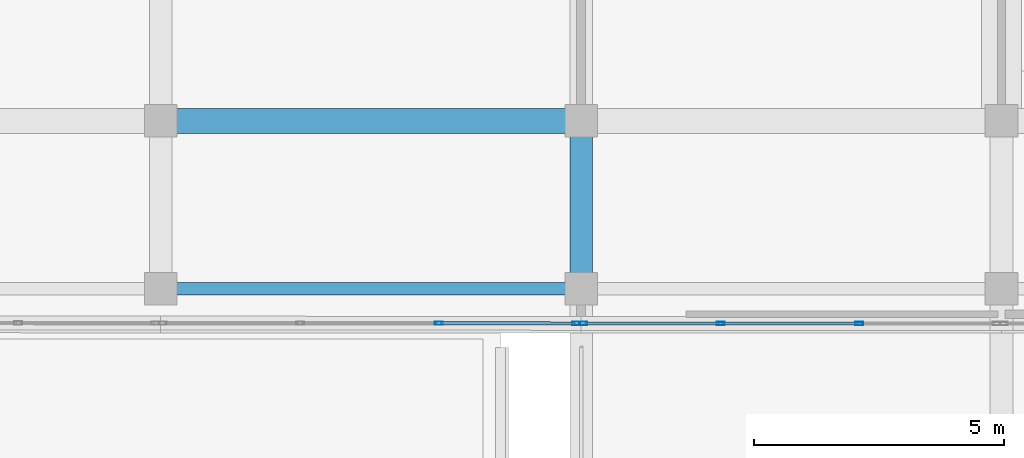
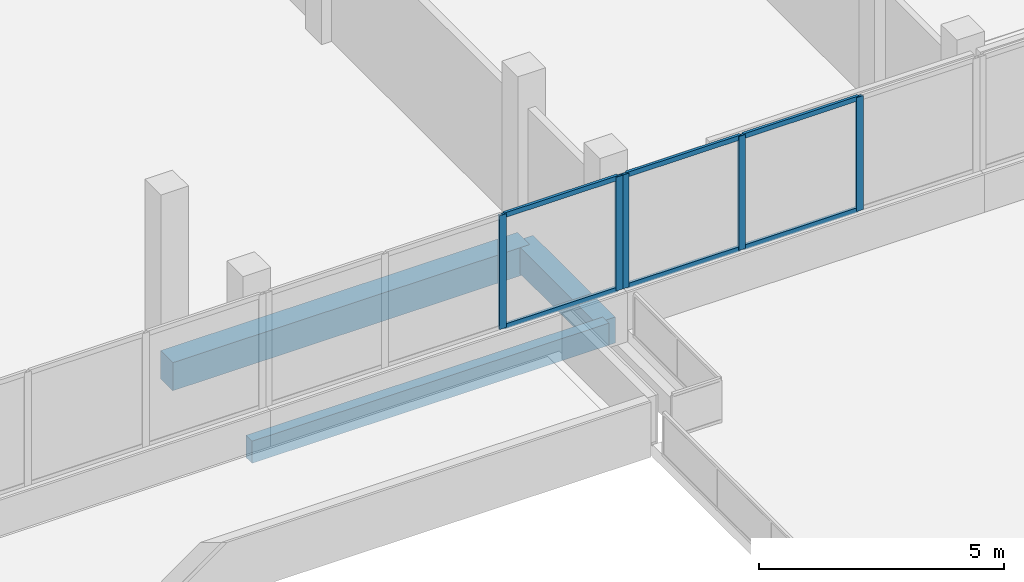
# One storey, part 17 of 78: 11 members, 3 beams, 2 elements without a shape of their own.
"""IFC4 building model written with IfcOpenShell, lengths in metres."""

from ifc_helpers import new_model, si_unit, direction, frame, origin, origin_2d, place, context, subcontext, project, spatial, rectangle, hollow_rectangle, extrude, material, material_profile, profile_set, type_object, element, aggregate, save


model = new_model("IFC4")

# Units and contexts
model_context = context("Model", 3, precision=1e-05, world=origin(), true_north=direction((0.0, 1.0)))
body_context = subcontext(model_context, "Body", "Model", "MODEL_VIEW")
ifc_project = project(units=[si_unit("LENGTHUNIT", "METRE"), si_unit("AREAUNIT", "SQUARE_METRE"), si_unit("VOLUMEUNIT", "CUBIC_METRE"), si_unit("PLANEANGLEUNIT", "RADIAN"), si_unit("MASSUNIT", "GRAM", prefix="KILO")], contexts=[model_context])

# Site, building, storey
site_placement = place(None, origin())
site = spatial("IfcSite", under=ifc_project, at=site_placement, CompositionType="ELEMENT")
building_placement = place(site_placement, origin())
building = spatial("IfcBuilding", under=site, at=building_placement, Name="Selatvlak General Hospital", CompositionType="ELEMENT")
storey_placement = place(building_placement, frame((0.0, 0.0, 23.25)))
storey = spatial("IfcBuildingStorey", under=building, at=storey_placement, Name="L05", CompositionType="ELEMENT", Elevation=23.25)

# Beams
ifc_material_1 = material(Name="Concrete C40/50", Category="concrete")
ifc_material_profile_1 = material_profile(ifc_material_1, rectangle(XDim=0.5, YDim=0.699951171875, at=origin_2d()), Name="RC-BM 500x700")
ifc_profile_set_1 = profile_set([ifc_material_profile_1], Name="Concrete C40/50")
beam_type_1 = type_object("IfcBeamType", Name="BM-G03", PredefinedType="BEAM", material=ifc_profile_set_1)
beam_1_placement = place(storey_placement, frame((106.800048828125, 92.0, -0.6298828125), z_axis=(1.0, 0.0, 0.0), x_axis=(0.0, 1.0, 0.0)))
element("IfcBeam", 1, at=beam_1_placement, inside=storey, type_object=beam_type_1, Name="Beam BMR-L05-1912", PredefinedType="BEAM", context=body_context, shape_type="SweptSolid", body=[
    extrude(rectangle(XDim=0.5, YDim=0.699951171875, at=origin_2d()), origin(), (0.0, 0.0, 1.0), 8.39990234375),
])
ifc_material_profile_2 = material_profile(ifc_material_1, rectangle(XDim=0.449951171875, YDim=0.64990234375, at=origin_2d()), Name="RC-BM 450x650")
ifc_profile_set_2 = profile_set([ifc_material_profile_2], Name="Concrete C40/50")
beam_type_2 = type_object("IfcBeamType", Name="BM-G04", PredefinedType="BEAM", material=ifc_profile_set_2)
beam_2_placement = place(storey_placement, frame((115.199951171875, 88.64990234375, -0.60498046875), z_axis=(0.0, 1.0, 0.0), x_axis=(-1.0, 0.0, 0.0)))
element("IfcBeam", 2, at=beam_2_placement, inside=storey, type_object=beam_type_2, Name="Beam BMR-L05-2043", PredefinedType="BEAM", context=body_context, shape_type="SweptSolid", body=[
    extrude(rectangle(XDim=0.449951171875, YDim=0.64990234375, at=origin_2d()), origin(), (0.0, 0.0, 1.0), 3.35009765625),
])
ifc_material_profile_3 = material_profile(ifc_material_1, rectangle(XDim=0.25, YDim=0.550048828125, at=origin_2d()), Name="RC-SP 250x550")
ifc_profile_set_3 = profile_set([ifc_material_profile_3], Name="Concrete C40/50")
beam_type_3 = type_object("IfcBeamType", Name="BM-SP2", PredefinedType="SPANDREL", material=ifc_profile_set_3)
beam_3_placement = place(storey_placement, frame((106.800048828125, 88.64990234375, -0.554931640625), z_axis=(1.0, 0.0, 0.0), x_axis=(0.0, 1.0, 0.0)))
element("IfcBeam", 3, at=beam_3_placement, inside=storey, type_object=beam_type_3, Name="Beam BMR-L05-1892", PredefinedType="SPANDREL", context=body_context, shape_type="SweptSolid", body=[
    extrude(rectangle(XDim=0.25, YDim=0.550048828125, at=origin_2d()), origin(), (0.0, 0.0, 1.0), 8.39990234375),
])

# Curtain wall, members
ifc_material_2 = material(Name="Solar-control Low-E double glazing", Category="glass")
curtain_wall_type_1 = type_object("IfcCurtainWallType", Name="CW-CW-02", PredefinedType="USERDEFINED", material=ifc_material_2)
curtain_wall_1_placement = place(storey_placement, origin())
curtain_wall_1 = element("IfcCurtainWall", 4, at=curtain_wall_1_placement, inside=storey, type_object=curtain_wall_type_1, Name="Glazed facade curtain wall CW-L05-0582", ObjectType="UNITISED CURTAIN WALL", PredefinedType="USERDEFINED")
ifc_material_3 = material(Name="Dark anodised aluminium mullion", Category="aluminium")
ifc_material_profile_4 = material_profile(ifc_material_3, hollow_rectangle(XDim=0.06494140625, YDim=0.159912109375, WallThickness=0.00390625, at=origin_2d()), Name="AL-MUL 65x160x4")
ifc_profile_set_4 = profile_set([ifc_material_profile_4], Name="Dark anodised aluminium mullion")
member_type_1 = type_object("IfcMemberType", Name="CWM-01", PredefinedType="MULLION", material=ifc_profile_set_4)
member_1_placement = place(storey_placement, frame((120.76171875, 87.953369140625, 0.93994140625), z_axis=(0.0, 0.0, 1.0), x_axis=(-0.00048076918, -0.99999988443, 0.0)))
member_1 = element("IfcMember", 5, at=member_1_placement, type_object=member_type_1, Name="CW-02 mullion 2", PredefinedType="MULLION", context=body_context, shape_type="SweptSolid", body=[
    extrude(hollow_rectangle(XDim=0.06494140625, YDim=0.159912109375, WallThickness=0.00390625, at=origin_2d()), origin(), (0.0, 0.0, 1.0), 2.8349609375),
])
member_2_placement = place(storey_placement, frame((117.98828125, 87.95458984375, 0.93994140625), z_axis=(0.0, 0.0, 1.0), x_axis=(-0.00048076918, -0.99999988443, 0.0)))
member_2 = element("IfcMember", 6, at=member_2_placement, type_object=member_type_1, Name="CW-02 mullion 3", PredefinedType="MULLION", context=body_context, shape_type="SweptSolid", body=[
    extrude(hollow_rectangle(XDim=0.06494140625, YDim=0.159912109375, WallThickness=0.00390625, at=origin_2d()), origin(), (0.0, 0.0, 1.0), 2.8349609375),
])
member_3_placement = place(storey_placement, frame((115.24755859375, 87.9560546875, 0.93994140625), z_axis=(0.0, 0.0, 1.0), x_axis=(-0.00048076918, -0.99999988443, 0.0)))
member_3 = element("IfcMember", 7, at=member_3_placement, type_object=member_type_1, Name="CW-02 mullion 4", PredefinedType="MULLION", context=body_context, shape_type="SweptSolid", body=[
    extrude(hollow_rectangle(XDim=0.06494140625, YDim=0.159912109375, WallThickness=0.00390625, at=origin_2d()), origin(), (0.0, 0.0, 1.0), 2.8349609375),
])

curtain_wall_type_2 = type_object("IfcCurtainWallType", Name="CW-CW-01", PredefinedType="USERDEFINED", material=ifc_material_2)
curtain_wall_2_placement = place(storey_placement, origin())
curtain_wall_2 = element("IfcCurtainWall", 8, at=curtain_wall_2_placement, inside=storey, type_object=curtain_wall_type_2, Name="Glazed facade curtain wall CW-L05-0583", ObjectType="UNITISED CURTAIN WALL", PredefinedType="USERDEFINED")
member_4_placement = place(storey_placement, frame((115.1025390625, 87.9560546875, 0.93994140625), z_axis=(0.0, 0.0, 1.0), x_axis=(-0.00048076918, -0.99999988443, 0.0)))
member_4 = element("IfcMember", 9, at=member_4_placement, type_object=member_type_1, Name="CW-01 mullion 1", PredefinedType="MULLION", context=body_context, shape_type="SweptSolid", body=[
    extrude(hollow_rectangle(XDim=0.06494140625, YDim=0.159912109375, WallThickness=0.00390625, at=origin_2d()), origin(), (0.0, 0.0, 1.0), 2.8349609375),
])
member_5_placement = place(storey_placement, frame((112.361572265625, 87.957275390625, 0.93994140625), z_axis=(0.0, 0.0, 1.0), x_axis=(-0.00048076918, -0.99999988443, 0.0)))
member_5 = element("IfcMember", 10, at=member_5_placement, type_object=member_type_1, Name="CW-01 mullion 2", PredefinedType="MULLION", context=body_context, shape_type="SweptSolid", body=[
    extrude(hollow_rectangle(XDim=0.06494140625, YDim=0.159912109375, WallThickness=0.00390625, at=origin_2d()), origin(), (0.0, 0.0, 1.0), 2.8349609375),
])

# Member
ifc_material_profile_5 = material_profile(ifc_material_3, hollow_rectangle(XDim=0.06494140625, YDim=0.1201171875, WallThickness=0.00390625, at=origin_2d()), Name="AL-TRN 65x120x4")
ifc_profile_set_5 = profile_set([ifc_material_profile_5], Name="Dark anodised aluminium mullion")
member_type_2 = type_object("IfcMemberType", Name="CWT-01", PredefinedType="USERDEFINED", material=ifc_profile_set_5)
member_6_placement = place(storey_placement, frame((120.729248046875, 87.953369140625, 0.972412109375), z_axis=(-0.999999898437, 0.000450694023, 0.0), x_axis=(-0.000450694023, -0.999999898437, 0.0)))
member_6 = element("IfcMember", 11, at=member_6_placement, type_object=member_type_2, Name="CW-02 transom 2.1", ObjectType="TRANSOM", PredefinedType="USERDEFINED", context=body_context, shape_type="SweptSolid", body=[
    extrude(hollow_rectangle(XDim=0.06494140625, YDim=0.1201171875, WallThickness=0.00390625, at=origin_2d()), origin(), (0.0, 0.0, 1.0), 2.70849609375),
])

member_7_placement = place(storey_placement, frame((120.729248046875, 87.953369140625, 3.742431640625), z_axis=(-0.999999898437, 0.000450694023, 0.0), x_axis=(-0.000450694023, -0.999999898437, 0.0)))
member_7 = element("IfcMember", 12, at=member_7_placement, type_object=member_type_2, Name="CW-02 transom 2.2", ObjectType="TRANSOM", PredefinedType="USERDEFINED", context=body_context, shape_type="SweptSolid", body=[
    extrude(hollow_rectangle(XDim=0.06494140625, YDim=0.1201171875, WallThickness=0.00390625, at=origin_2d()), origin(), (0.0, 0.0, 1.0), 2.70849609375),
])

member_8_placement = place(storey_placement, frame((117.955810546875, 87.95458984375, 0.972412109375), z_axis=(-0.999999850152, 0.000547445173, 0.0), x_axis=(-0.000547445173, -0.999999850152, 0.0)))
member_8 = element("IfcMember", 13, at=member_8_placement, type_object=member_type_2, Name="CW-02 transom 3.1", ObjectType="TRANSOM", PredefinedType="USERDEFINED", context=body_context, shape_type="SweptSolid", body=[
    extrude(hollow_rectangle(XDim=0.06494140625, YDim=0.1201171875, WallThickness=0.00390625, at=origin_2d()), origin(), (0.0, 0.0, 1.0), 2.67578125),
])

member_9_placement = place(storey_placement, frame((117.955810546875, 87.95458984375, 3.742431640625), z_axis=(-0.999999850152, 0.000547445173, 0.0), x_axis=(-0.000547445173, -0.999999850152, 0.0)))
member_9 = element("IfcMember", 14, at=member_9_placement, type_object=member_type_2, Name="CW-02 transom 3.2", ObjectType="TRANSOM", PredefinedType="USERDEFINED", context=body_context, shape_type="SweptSolid", body=[
    extrude(hollow_rectangle(XDim=0.06494140625, YDim=0.1201171875, WallThickness=0.00390625, at=origin_2d()), origin(), (0.0, 0.0, 1.0), 2.67578125),
])

aggregate(curtain_wall_1, [member_1, member_2, member_3, member_6, member_7, member_8, member_9])

member_10_placement = place(storey_placement, frame((115.070068359375, 87.9560546875, 0.972412109375), z_axis=(-0.999999895939, 0.000456204332, 0.0), x_axis=(-0.000456204332, -0.999999895939, 0.0)))
member_10 = element("IfcMember", 15, at=member_10_placement, type_object=member_type_2, Name="CW-01 transom 1.1", ObjectType="TRANSOM", PredefinedType="USERDEFINED", context=body_context, shape_type="SweptSolid", body=[
    extrude(hollow_rectangle(XDim=0.06494140625, YDim=0.1201171875, WallThickness=0.00390625, at=origin_2d()), origin(), (0.0, 0.0, 1.0), 2.67578125),
])

member_11_placement = place(storey_placement, frame((115.070068359375, 87.9560546875, 3.742431640625), z_axis=(-0.999999895939, 0.000456204332, 0.0), x_axis=(-0.000456204332, -0.999999895939, 0.0)))
member_11 = element("IfcMember", 16, at=member_11_placement, type_object=member_type_2, Name="CW-01 transom 1.2", ObjectType="TRANSOM", PredefinedType="USERDEFINED", context=body_context, shape_type="SweptSolid", body=[
    extrude(hollow_rectangle(XDim=0.06494140625, YDim=0.1201171875, WallThickness=0.00390625, at=origin_2d()), origin(), (0.0, 0.0, 1.0), 2.67578125),
])

aggregate(curtain_wall_2, [member_4, member_5, member_10, member_11])

save(model, "model.ifc")
